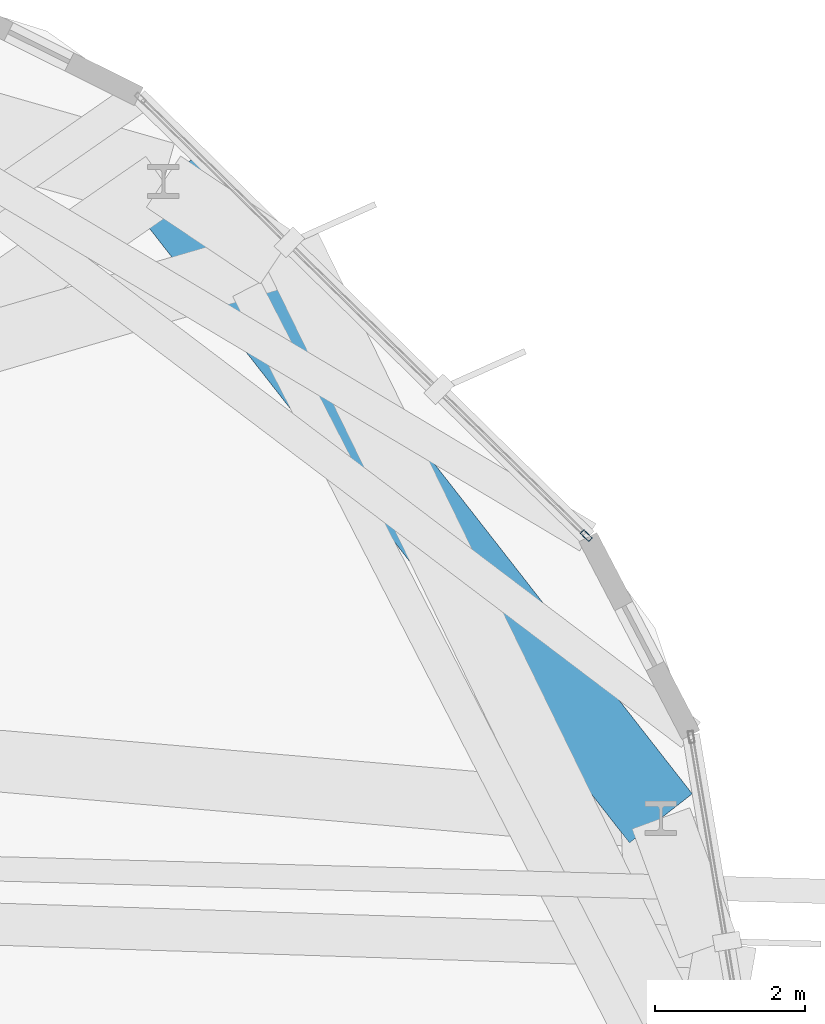
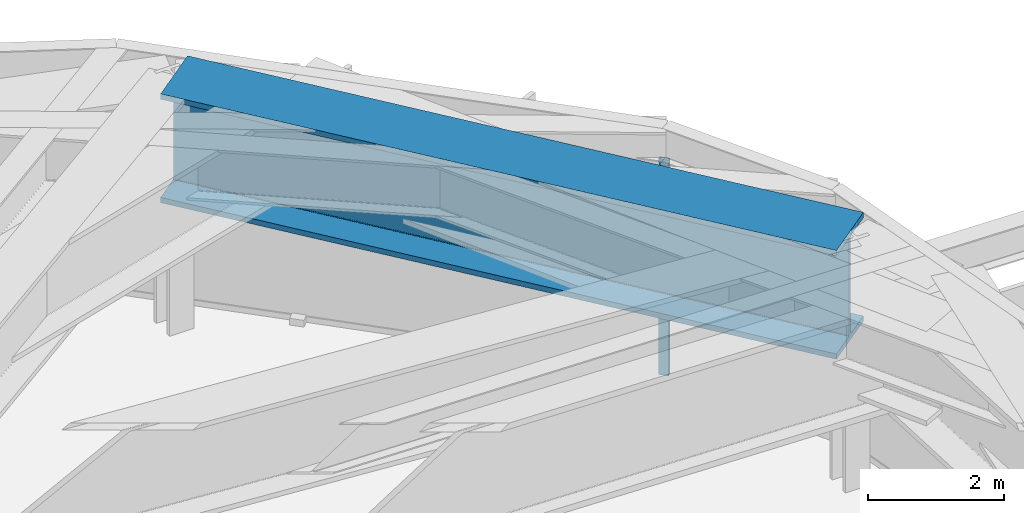
# One storey, part 16 of 27: 1 beam, 1 member, 1 element without a shape of its own.
"""IFC4 building model written with IfcOpenShell, lengths in metres."""

from ifc_helpers import new_model, si_unit, direction, frame, origin, origin_2d, place, context, subcontext, project, spatial, hollow_rectangle, i_section, extrude, material, layer, layer_set, material_profile, profile_set, type_object, element, aggregate, save


model = new_model("IFC4")

# Units and contexts
model_context = context("Model", 3, precision=1e-05, world=origin(), true_north=direction((0.0, 1.0)))
body_context = subcontext(model_context, "Body", "Model", "MODEL_VIEW")
ifc_project = project(units=[si_unit("LENGTHUNIT", "METRE"), si_unit("AREAUNIT", "SQUARE_METRE"), si_unit("VOLUMEUNIT", "CUBIC_METRE"), si_unit("PLANEANGLEUNIT", "RADIAN"), si_unit("MASSUNIT", "GRAM", prefix="KILO")], contexts=[model_context])

# Site, building, storey
site_placement = place(None, origin())
site = spatial("IfcSite", under=ifc_project, at=site_placement, CompositionType="ELEMENT")
building_placement = place(site_placement, origin())
building = spatial("IfcBuilding", under=site, at=building_placement, Name="Soratama Intermodal Tower", CompositionType="ELEMENT")
storey_placement = place(building_placement, frame((0.0, 0.0, 134.199951171875)))
storey = spatial("IfcBuildingStorey", under=building, at=storey_placement, Name="L32", CompositionType="ELEMENT", Elevation=134.199951171875)

# Beam
ifc_material_1 = material(Name="Structural steel ASTM A992 Grade 50", Category="steel")
ifc_material_profile_1 = material_profile(ifc_material_1, i_section(OverallWidth=1.06005859375, OverallDepth=1.9599609375, WebThickness=0.05810546875, FlangeThickness=0.095947265625, FilletRadius=0.02392578125, at=origin_2d()), Name="PG2400X900")
ifc_profile_set_1 = profile_set([ifc_material_profile_1], Name="Structural steel ASTM A992 Grade 50")
beam_type = type_object("IfcBeamType", Name="BM-ZSTEP-PG2400", PredefinedType="BEAM", material=ifc_profile_set_1)
beam_placement = place(storey_placement, frame((61.35107421875, 30.950927734375, 3.52001953125), z_axis=(-0.615683690883, 0.787993396407, 0.0), x_axis=(-0.787993396407, -0.615683690883, 0.0)))
element("IfcBeam", 1, at=beam_placement, inside=storey, type_object=beam_type, Name="BM-L32-RING-01", PredefinedType="BEAM", context=body_context, shape_type="SweptSolid", body=[
    extrude(i_section(OverallWidth=1.06005859375, OverallDepth=1.9599609375, WebThickness=0.05810546875, FlangeThickness=0.095947265625, FilletRadius=0.02392578125, at=origin_2d()), origin(), (0.0, 0.0, 1.0), 10.754150390625),
])

# Curtain wall, member
ifc_material_2 = material(Name="Double-glazed aluminium curtain wall", Category="aluminium")
ifc_layer = layer(ifc_material_2, 0.159912109375)
ifc_layer_set = layer_set([ifc_layer], Name="Double-glazed aluminium curtain wall")
curtain_wall_type = type_object("IfcCurtainWallType", Name="CW-SYS-3", PredefinedType="NOTDEFINED", material=ifc_layer_set)
curtain_wall_placement = place(storey_placement, origin())
curtain_wall = element("IfcCurtainWall", 2, at=curtain_wall_placement, inside=storey, type_object=curtain_wall_type, Name="L32 Faceted Curtain Wall F01", PredefinedType="NOTDEFINED")
ifc_material_3 = material(Name="Anodised aluminium AA 6063-T6", Category="aluminium")
ifc_material_profile_2 = material_profile(ifc_material_3, hollow_rectangle(XDim=0.070068359375, YDim=0.159912109375, WallThickness=0.0048828125, InnerFilletRadius=0.0048828125, OuterFilletRadius=0.010009765625, at=origin_2d()), Name="CWM160X70X5")
ifc_profile_set_2 = profile_set([ifc_material_profile_2], Name="Anodised aluminium AA 6063-T6")
member_type = type_object("IfcMemberType", Name="MT-CWM-3", PredefinedType="MULLION", material=ifc_profile_set_2)
member_placement = place(storey_placement, frame((60.357666015625, 34.71337890625, 0.0), z_axis=(0.0, 0.0, 1.0), x_axis=(-0.700413662344, -0.713737137609, 0.0)))
member = element("IfcMember", 3, at=member_placement, type_object=member_type, Name="CW-3 mullion 1", PredefinedType="MULLION", context=body_context, shape_type="SweptSolid", body=[
    extrude(hollow_rectangle(XDim=0.070068359375, YDim=0.159912109375, WallThickness=0.0048828125, InnerFilletRadius=0.0048828125, OuterFilletRadius=0.010009765625, at=origin_2d()), origin(), (0.0, 0.0, 1.0), 3.879150390625),
])
aggregate(curtain_wall, [member])

save(model, "model.ifc")
